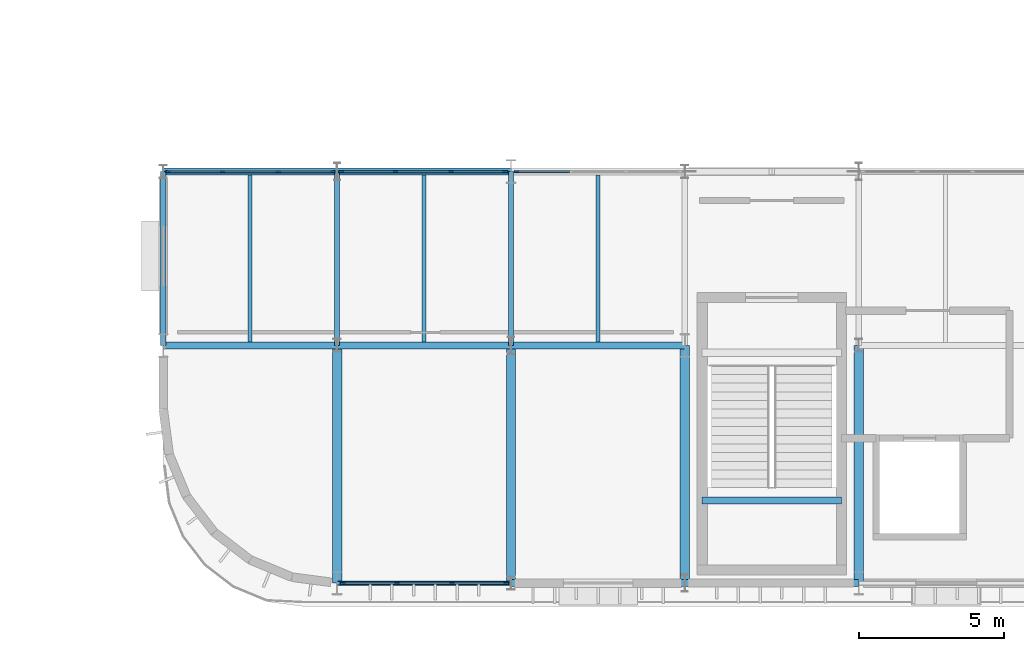
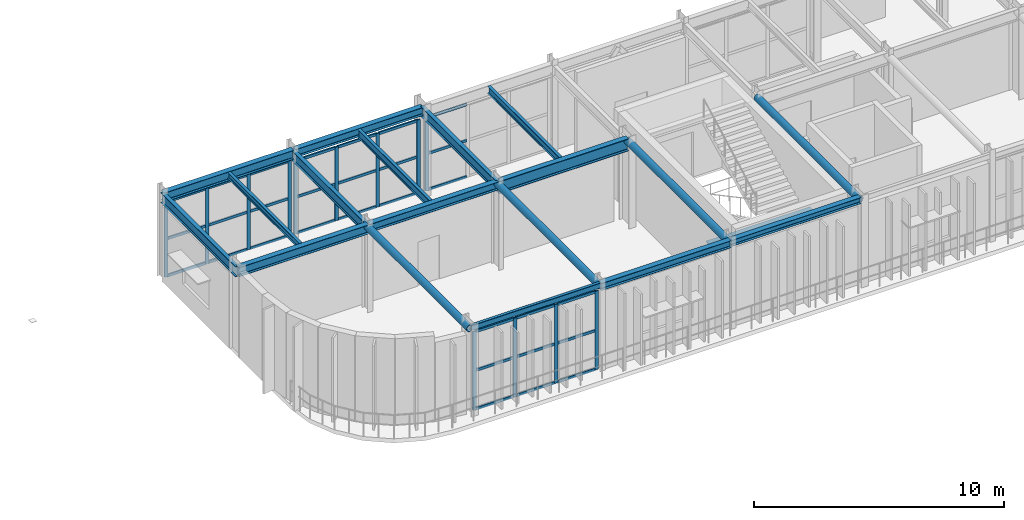
# One storey, part 31 of 84: 43 members, 19 beams, 4 elements without a shape of their own.
"""IFC4 building model written with IfcOpenShell, lengths in metres."""

import ifcopenshell
import ifcopenshell.guid

model = None  # the IFC model being written
_history = None  # IfcOwnerHistory: only IFC2X3 demands one
_inside = {}  # id of a spatial element -> (the spatial element, [elements in it])
_under = {}  # id of a project, library or spatial element -> (it, [spatial elements below it])
_declared = {}  # id of a project -> (the project, [libraries it declares])
_typed = {}  # id of a type object -> (the type object, [elements of that type])
_made_of = {}  # id of a material, layer set ... -> (it, [elements and type objects made of it])


def new_model(schema):
    """Start an empty IFC model of exactly this schema.

    Asked for "IFC4X3", IfcOpenShell would pick the latest addendum, in which some entities
    have other attributes; the version numbers below select the first issue.
    IFC2X3 requires an IfcOwnerHistory on every rooted entity: one is made here for all.
    """
    global model, _history
    if schema == "IFC4X3":
        model = ifcopenshell.file(schema_version=(4, 3, 0, 0))
    else:
        model = ifcopenshell.file(schema=schema)
    _inside.clear()
    _under.clear()
    _declared.clear()
    _typed.clear()
    _made_of.clear()
    _history = None
    if model.schema == "IFC2X3":
        org = make("IfcOrganization", Name="unknown")
        user = make(
            "IfcPersonAndOrganization",
            ThePerson=make("IfcPerson", FamilyName="unknown"),
            TheOrganization=org,
        )
        app = make(
            "IfcApplication",
            ApplicationDeveloper=org,
            Version="unknown",
            ApplicationFullName="unknown",
            ApplicationIdentifier="unknown",
        )
        _history = make(
            "IfcOwnerHistory",
            OwningUser=user,
            OwningApplication=app,
            ChangeAction="ADDED",
            CreationDate=0,
        )
    return model


def make(cls, **values):
    """One entity of the class cls with the attributes given. An attribute that is None is left unset."""
    return model.create_entity(
        cls, **{name: value for name, value in values.items() if value is not None}
    )


def rooted(cls, **values):
    """An entity with a GlobalId (a new one), such as an element, a storey or a relation."""
    return make(cls, GlobalId=ifcopenshell.guid.new(), OwnerHistory=_history, **values)


def si_unit(unit_type, name, prefix=None):
    """IfcSIUnit, for example si_unit("LENGTHUNIT", "METRE", prefix="MILLI")."""
    return make("IfcSIUnit", UnitType=unit_type, Prefix=prefix, Name=name)


def assignment(units):
    """IfcUnitAssignment: the units of a project."""
    return None if units is None else make("IfcUnitAssignment", Units=units)


def point(xyz):
    """IfcCartesianPoint."""
    return None if xyz is None else make("IfcCartesianPoint", Coordinates=xyz)


def direction(xyz):
    """IfcDirection."""
    return None if xyz is None else make("IfcDirection", DirectionRatios=xyz)


def frame(location, z_axis=None, x_axis=None):
    """IfcAxis2Placement3D, a coordinate frame: its origin and axes. An axis left out is left unset."""
    return make(
        "IfcAxis2Placement3D",
        Location=point(location),
        Axis=direction(z_axis),
        RefDirection=direction(x_axis),
    )


def frame_2d(location, x_axis=None):
    """IfcAxis2Placement2D, a coordinate frame in the plane: its origin and x axis."""
    return make(
        "IfcAxis2Placement2D", Location=point(location), RefDirection=direction(x_axis)
    )


def origin():
    """The frame at (0, 0, 0) with its axes left unset."""
    return frame((0.0, 0.0, 0.0))


def origin_2d():
    """The frame at (0, 0) in the plane with its x axis left unset."""
    return frame_2d((0.0, 0.0))


def place(relative_to, where):
    """IfcLocalPlacement: puts the frame where relative to a parent placement (None: the world)."""
    return make(
        "IfcLocalPlacement", PlacementRelTo=relative_to, RelativePlacement=where
    )


def context(
    kind, dimensions, precision=None, world=None, true_north=None, identifier=None
):
    """IfcGeometricRepresentationContext, for example the 3D "Model" context."""
    return make(
        "IfcGeometricRepresentationContext",
        ContextIdentifier=identifier,
        ContextType=kind,
        CoordinateSpaceDimension=dimensions,
        Precision=precision,
        WorldCoordinateSystem=world,
        TrueNorth=true_north,
    )


def subcontext(parent, identifier, kind, view, scale=None):
    """IfcGeometricRepresentationSubContext, for example "Body" below "Model"."""
    return make(
        "IfcGeometricRepresentationSubContext",
        ContextIdentifier=identifier,
        ContextType=kind,
        ParentContext=parent,
        TargetScale=scale,
        TargetView=view,
    )


def project(units=None, contexts=None):
    """IfcProject with its units and contexts."""
    return rooted(
        "IfcProject",
        Name="project",
        RepresentationContexts=contexts,
        UnitsInContext=assignment(units),
    )


def spatial(cls, under=None, at=None, **own):
    """A site, building, storey or space (cls), placed at a placement, below another one or the project."""
    s = rooted(cls, ObjectPlacement=at, **own)
    if under is not None:
        _under.setdefault(under.id(), (under, []))[1].append(s)
    return s


def profile(cls, at=None, kind="AREA", **sizes):
    """A parametric profile (cls). Its sizes go by their IFC names, for example OverallWidth=200.0."""
    return make(cls, ProfileType=kind, Position=at, **sizes)


def rectangle(**sizes):
    """IfcRectangleProfileDef."""
    return profile("IfcRectangleProfileDef", **sizes)


def hollow_rectangle(**sizes):
    """IfcRectangleHollowProfileDef."""
    return profile("IfcRectangleHollowProfileDef", **sizes)


def hollow_circle(**sizes):
    """IfcCircleHollowProfileDef."""
    return profile("IfcCircleHollowProfileDef", **sizes)


def i_section(**sizes):
    """IfcIShapeProfileDef."""
    return profile("IfcIShapeProfileDef", **sizes)


def extrude(swept, where, along, depth):
    """IfcExtrudedAreaSolid: the profile swept, set in the frame where, extruded along a direction by depth."""
    return make(
        "IfcExtrudedAreaSolid",
        SweptArea=swept,
        Position=where,
        ExtrudedDirection=direction(along),
        Depth=depth,
    )


def shape(context_of_items, identifier, shape_type, items):
    """IfcShapeRepresentation: the items that make up one representation, for example the "Body"."""
    return make(
        "IfcShapeRepresentation",
        ContextOfItems=context_of_items,
        RepresentationIdentifier=identifier,
        RepresentationType=shape_type,
        Items=items,
    )


def material(Name=None, Category=None):
    """IfcMaterial."""
    return make("IfcMaterial", Name=Name, Category=Category)


def material_profile(
    of_material, cross_section, Name=None, Category=None, Priority=None
):
    """IfcMaterialProfile: a cross section and its material."""
    return make(
        "IfcMaterialProfile",
        Name=Name,
        Material=of_material,
        Profile=cross_section,
        Priority=Priority,
        Category=Category,
    )


def profile_set(profiles, Name=None, composite=None):
    """IfcMaterialProfileSet."""
    return make(
        "IfcMaterialProfileSet",
        Name=Name,
        MaterialProfiles=profiles,
        CompositeProfile=composite,
    )


def made_of(thing, what):
    """Note that an element or type object is made of a material, layer set ...; save() writes the relation."""
    if what is not None:
        _made_of.setdefault(what.id(), (what, []))[1].append(thing)
    return thing


def type_object(cls, material=None, **own):
    """A type object (cls), such as IfcWallType, which elements share."""
    return made_of(rooted(cls, **own), material)


def element(
    cls,
    number,
    at=None,
    inside=None,
    cuts=None,
    type_object=None,
    material=None,
    context=None,
    identifier="Body",
    shape_type=None,
    held_by="IfcProductDefinitionShape",
    body=None,
    shapes=None,
    **own,
):
    """One element of the class cls, such as IfcWall. Its Tag is "e" and its number.

    at: its placement. inside: the storey or other place that contains it. cuts: it is an
    opening in that element (IfcRelVoidsElement). A single representation is given by context,
    identifier, shape_type and body (its items); several are given by shapes. held_by: the class
    of the entity that holds the representations. save() writes the other relations.
    """
    e = rooted(cls, Tag="e%d" % number, ObjectPlacement=at, **own)
    if body is not None:
        shapes = [shape(context, identifier, shape_type, body)]
    if shapes is not None:
        e.Representation = make(held_by, Representations=shapes)
    if inside is not None:
        _inside.setdefault(inside.id(), (inside, []))[1].append(e)
    if cuts is not None:
        rooted(
            "IfcRelVoidsElement", RelatingBuildingElement=cuts, RelatedOpeningElement=e
        )
    if type_object is not None:
        _typed.setdefault(type_object.id(), (type_object, []))[1].append(e)
    return made_of(e, material)


def aggregate(whole, parts):
    """IfcRelAggregates: a whole, such as a stair, and the parts it consists of."""
    return rooted("IfcRelAggregates", RelatingObject=whole, RelatedObjects=parts)


def save(model, path):
    """Write the relations noted so far, then the file.

    IfcRelAggregates (storeys below a building ...), IfcRelContainedInSpatialStructure (elements
    in a storey), IfcRelDefinesByType, IfcRelAssociatesMaterial and IfcRelDeclares: one each for
    every whole, place, type object, material and project.
    """
    for whole, parts in _under.values():
        aggregate(whole, parts)
    for where, things in _inside.values():
        rooted(
            "IfcRelContainedInSpatialStructure",
            RelatedElements=things,
            RelatingStructure=where,
        )
    for kind, things in _typed.values():
        rooted("IfcRelDefinesByType", RelatedObjects=things, RelatingType=kind)
    for what, things in _made_of.values():
        rooted("IfcRelAssociatesMaterial", RelatedObjects=things, RelatingMaterial=what)
    for by, libraries in _declared.values():
        rooted("IfcRelDeclares", RelatingContext=by, RelatedDefinitions=libraries)
    model.write(path)


model = new_model("IFC4")

# Units and contexts
model_context = context("Model", 3, precision=1e-05, world=origin(), true_north=direction((0.0, 1.0)))
body_context = subcontext(model_context, "Body", "Model", "MODEL_VIEW")
ifc_project = project(units=[si_unit("LENGTHUNIT", "METRE"), si_unit("AREAUNIT", "SQUARE_METRE"), si_unit("VOLUMEUNIT", "CUBIC_METRE"), si_unit("PLANEANGLEUNIT", "RADIAN"), si_unit("MASSUNIT", "GRAM", prefix="KILO")], contexts=[model_context])

# Site, building, storey
site_placement = place(None, origin())
site = spatial("IfcSite", under=ifc_project, at=site_placement, CompositionType="ELEMENT")
building_placement = place(site_placement, origin())
building = spatial("IfcBuilding", under=site, at=building_placement, Name="Varnakota Square Police Headquarters", CompositionType="ELEMENT")
storey_placement = place(building_placement, frame((0.0, 0.0, 13.5)))
storey = spatial("IfcBuildingStorey", under=building, at=storey_placement, Name="L03", CompositionType="ELEMENT", Elevation=13.5)

# Beams
ifc_material_1 = material(Name="Steel IS 2062 Grade 350", Category="steel")
ifc_material_profile_1 = material_profile(ifc_material_1, hollow_circle(Radius=0.161865234375, WallThickness=0.0126953125, at=origin_2d()), Name="CHS 323.9x12.7")
ifc_profile_set_1 = profile_set([ifc_material_profile_1], Name="Steel IS 2062 Grade 350")
beam_type_1 = type_object("IfcBeamType", Name="BM-ARC-CHS324", PredefinedType="BEAM", material=ifc_profile_set_1)
for number, where, z_axis, x_axis, name in (
    (1, (114.0, 0.800048828125, 4.0380859375), (0.0, 1.0, 0.0), (-1.0, 0.0, 0.0), "BMG-L03-2683"),
    (2, (120.0, 0.800048828125, 4.0380859375), (0.0, 1.0, 0.0), (-1.0, 0.0, 0.0), "BMG-L03-2692"),
    (3, (126.0, 0.800048828125, 4.0380859375), (0.0, 1.0, 0.0), (-1.0, 0.0, 0.0), "BMG-L03-2698"),
    (4, (132.0, 0.800048828125, 4.0380859375), (0.0, 1.0, 0.0), (-1.0, 0.0, 0.0), "BMG-L03-2704"),
):
    element("IfcBeam", number, at=place(storey_placement, frame(where, z_axis=z_axis, x_axis=x_axis)), inside=storey, type_object=beam_type_1, Name=name, PredefinedType="BEAM", context=body_context, shape_type="SweptSolid", body=[
        extrude(hollow_circle(Radius=0.161865234375, WallThickness=0.0126953125, at=origin_2d()), origin(), (0.0, 0.0, 1.0), 8.199951171875),
    ])
ifc_material_profile_2 = material_profile(ifc_material_1, hollow_rectangle(XDim=0.14990234375, YDim=0.25, WallThickness=0.010009765625, InnerFilletRadius=0.010009765625, OuterFilletRadius=0.02001953125, at=origin_2d()), Name="RHS 250x150x10")
ifc_profile_set_2 = profile_set([ifc_material_profile_2], Name="Steel IS 2062 Grade 350")
beam_type_2 = type_object("IfcBeamType", Name="BM-CBEAM-RHS250", PredefinedType="BEAM", material=ifc_profile_set_2)
beam_1_placement = place(storey_placement, frame((114.0, 0.800048828125, 4.074951171875), z_axis=(1.0, 0.0, 0.0), x_axis=(0.0, 1.0, 0.0)))
element("IfcBeam", 5, at=beam_1_placement, inside=storey, type_object=beam_type_2, Name="BMG-L03-2421", PredefinedType="BEAM", context=body_context, shape_type="SweptSolid", body=[
    extrude(hollow_rectangle(XDim=0.14990234375, YDim=0.25, WallThickness=0.010009765625, InnerFilletRadius=0.010009765625, OuterFilletRadius=0.02001953125, at=origin_2d()), origin(), (0.0, 0.0, 1.0), 6.0),
])
ifc_material_profile_3 = material_profile(ifc_material_1, i_section(OverallWidth=0.25, OverallDepth=0.300048828125, WebThickness=0.009521484375, FlangeThickness=0.010498046875, FilletRadius=0.011962890625, at=origin_2d()), Name="ISHB 300")
ifc_profile_set_3 = profile_set([ifc_material_profile_3], Name="Steel IS 2062 Grade 350")
beam_type_3 = type_object("IfcBeamType", Name="BM-ISHB300", PredefinedType="BEAM", material=ifc_profile_set_3)
beam_2_placement = place(storey_placement, frame((126.0, 0.800048828125, 4.050048828125), z_axis=(1.0, 0.0, 0.0), x_axis=(0.0, 1.0, 0.0)))
element("IfcBeam", 6, at=beam_2_placement, inside=storey, type_object=beam_type_3, Name="BMG-L03-2423", PredefinedType="BEAM", context=body_context, shape_type="SweptSolid", body=[
    extrude(i_section(OverallWidth=0.25, OverallDepth=0.300048828125, WebThickness=0.009521484375, FlangeThickness=0.010498046875, FilletRadius=0.011962890625, at=origin_2d()), origin(), (0.0, 0.0, 1.0), 6.0),
])
beam_3_placement = place(storey_placement, frame((126.60009765625, 3.6494140625, 1.93408203125), z_axis=(1.0, 0.0, 0.0), x_axis=(0.0, 1.0, 0.0)))
element("IfcBeam", 7, at=beam_3_placement, inside=storey, type_object=beam_type_3, Name="Stair landing support beam BM-LND-0008", PredefinedType="BEAM", context=body_context, shape_type="SweptSolid", body=[
    extrude(i_section(OverallWidth=0.25, OverallDepth=0.300048828125, WebThickness=0.009521484375, FlangeThickness=0.010498046875, FilletRadius=0.011962890625, at=origin_2d()), origin(), (0.0, 0.0, 1.0), 4.7998046875),
])
ifc_material_profile_4 = material_profile(ifc_material_1, i_section(OverallWidth=0.25, OverallDepth=0.35009765625, WebThickness=0.010009765625, FlangeThickness=0.01171875, FilletRadius=0.011962890625, at=origin_2d()), Name="ISHB 350")
ifc_profile_set_4 = profile_set([ifc_material_profile_4], Name="Steel IS 2062 Grade 350")
beam_type_4 = type_object("IfcBeamType", Name="BM-ISHB350", PredefinedType="BEAM", material=ifc_profile_set_4)
beam_4_placement = place(storey_placement, frame((120.0, 0.800048828125, 4.02490234375), z_axis=(1.0, 0.0, 0.0), x_axis=(0.0, 1.0, 0.0)))
element("IfcBeam", 8, at=beam_4_placement, inside=storey, type_object=beam_type_4, Name="BMG-L03-2422", PredefinedType="BEAM", context=body_context, shape_type="SweptSolid", body=[
    extrude(i_section(OverallWidth=0.25, OverallDepth=0.35009765625, WebThickness=0.010009765625, FlangeThickness=0.01171875, FilletRadius=0.011962890625, at=origin_2d()), origin(), (0.0, 0.0, 1.0), 6.0),
])
ifc_material_profile_5 = material_profile(ifc_material_1, i_section(OverallWidth=0.25, OverallDepth=0.39990234375, WebThickness=0.010498046875, FlangeThickness=0.0126953125, FilletRadius=0.013916015625, at=origin_2d()), Name="ISHB 400")
ifc_profile_set_5 = profile_set([ifc_material_profile_5], Name="Steel IS 2062 Grade 350")
beam_type_5 = type_object("IfcBeamType", Name="BM-ISHB400", PredefinedType="BEAM", material=ifc_profile_set_5)
for number, where, z_axis, x_axis, name in (
    (9, (114.0, 9.0, 4.0), (1.0, 0.0, 0.0), (0.0, 1.0, 0.0), "BMG-L03-2429"),
    (10, (114.0, 15.0, 4.0), (1.0, 0.0, 0.0), (0.0, 1.0, 0.0), "BMG-L03-2437"),
):
    element("IfcBeam", number, at=place(storey_placement, frame(where, z_axis=z_axis, x_axis=x_axis)), inside=storey, type_object=beam_type_5, Name=name, PredefinedType="BEAM", context=body_context, shape_type="SweptSolid", body=[
        extrude(i_section(OverallWidth=0.25, OverallDepth=0.39990234375, WebThickness=0.010498046875, FlangeThickness=0.0126953125, FilletRadius=0.013916015625, at=origin_2d()), origin(), (0.0, 0.0, 1.0), 6.0),
    ])
ifc_material_profile_6 = material_profile(ifc_material_1, i_section(OverallWidth=0.25, OverallDepth=0.449951171875, WebThickness=0.01123046875, FlangeThickness=0.013671875, FilletRadius=0.014892578125, at=origin_2d()), Name="ISHB 450")
ifc_profile_set_6 = profile_set([ifc_material_profile_6], Name="Steel IS 2062 Grade 350")
beam_type_6 = type_object("IfcBeamType", Name="BM-ISHB450", PredefinedType="BEAM", material=ifc_profile_set_6)
for number, where, z_axis, x_axis, name in (
    (11, (108.0, 9.0, 3.97509765625), (1.0, 0.0, 0.0), (0.0, 1.0, 0.0), "BMG-L03-2428"),
    (12, (108.0, 15.0, 3.97509765625), (1.0, 0.0, 0.0), (0.0, 1.0, 0.0), "BMG-L03-2436"),
):
    element("IfcBeam", number, at=place(storey_placement, frame(where, z_axis=z_axis, x_axis=x_axis)), inside=storey, type_object=beam_type_6, Name=name, PredefinedType="BEAM", context=body_context, shape_type="SweptSolid", body=[
        extrude(i_section(OverallWidth=0.25, OverallDepth=0.449951171875, WebThickness=0.01123046875, FlangeThickness=0.013671875, FilletRadius=0.014892578125, at=origin_2d()), origin(), (0.0, 0.0, 1.0), 6.0),
    ])
ifc_material_profile_7 = material_profile(ifc_material_1, i_section(OverallWidth=0.139892578125, OverallDepth=0.300048828125, WebThickness=0.0078125, FlangeThickness=0.01318359375, FilletRadius=0.013916015625, at=origin_2d()), Name="ISMB 300")
ifc_profile_set_7 = profile_set([ifc_material_profile_7], Name="Steel IS 2062 Grade 350")
beam_type_7 = type_object("IfcBeamType", Name="BM-ISMB300", PredefinedType="JOIST", material=ifc_profile_set_7)
beam_5_placement = place(storey_placement, frame((111.0, 9.123046875, 4.050048828125), z_axis=(0.0, 1.0, 0.0), x_axis=(-1.0, 0.0, 0.0)))
element("IfcBeam", 13, at=beam_5_placement, inside=storey, type_object=beam_type_7, Name="BMG-L03-2801", PredefinedType="JOIST", context=body_context, shape_type="SweptSolid", body=[
    extrude(i_section(OverallWidth=0.139892578125, OverallDepth=0.300048828125, WebThickness=0.0078125, FlangeThickness=0.01318359375, FilletRadius=0.013916015625, at=origin_2d()), origin(), (0.0, 0.0, 1.0), 5.75390625),
])
ifc_material_profile_8 = material_profile(ifc_material_1, i_section(OverallWidth=0.139892578125, OverallDepth=0.35009765625, WebThickness=0.008056640625, FlangeThickness=0.01416015625, FilletRadius=0.013916015625, at=origin_2d()), Name="ISMB 350")
ifc_profile_set_8 = profile_set([ifc_material_profile_8], Name="Steel IS 2062 Grade 350")
beam_type_8 = type_object("IfcBeamType", Name="BM-ISMB350", PredefinedType="JOIST", material=ifc_profile_set_8)
beam_6_placement = place(storey_placement, frame((123.0, 9.123046875, 4.02490234375), z_axis=(0.0, 1.0, 0.0), x_axis=(-1.0, 0.0, 0.0)))
element("IfcBeam", 14, at=beam_6_placement, inside=storey, type_object=beam_type_8, Name="BMG-L03-2810", PredefinedType="JOIST", context=body_context, shape_type="SweptSolid", body=[
    extrude(i_section(OverallWidth=0.139892578125, OverallDepth=0.35009765625, WebThickness=0.008056640625, FlangeThickness=0.01416015625, FilletRadius=0.013916015625, at=origin_2d()), origin(), (0.0, 0.0, 1.0), 5.75390625),
])
ifc_material_profile_9 = material_profile(ifc_material_1, i_section(OverallWidth=0.139892578125, OverallDepth=0.39990234375, WebThickness=0.0087890625, FlangeThickness=0.01611328125, FilletRadius=0.013916015625, at=origin_2d()), Name="ISMB 400")
ifc_profile_set_9 = profile_set([ifc_material_profile_9], Name="Steel IS 2062 Grade 350")
beam_type_9 = type_object("IfcBeamType", Name="BM-ISMB400", PredefinedType="JOIST", material=ifc_profile_set_9)
beam_7_placement = place(storey_placement, frame((117.0, 9.123046875, 4.0), z_axis=(0.0, 1.0, 0.0), x_axis=(-1.0, 0.0, 0.0)))
element("IfcBeam", 15, at=beam_7_placement, inside=storey, type_object=beam_type_9, Name="BMG-L03-2806", PredefinedType="JOIST", context=body_context, shape_type="SweptSolid", body=[
    extrude(i_section(OverallWidth=0.139892578125, OverallDepth=0.39990234375, WebThickness=0.0087890625, FlangeThickness=0.01611328125, FilletRadius=0.013916015625, at=origin_2d()), origin(), (0.0, 0.0, 1.0), 5.75390625),
])
ifc_material_profile_10 = material_profile(ifc_material_1, i_section(OverallWidth=0.179931640625, OverallDepth=0.5, WebThickness=0.01025390625, FlangeThickness=0.01708984375, FilletRadius=0.01708984375, at=origin_2d()), Name="ISMB 500")
ifc_profile_set_10 = profile_set([ifc_material_profile_10], Name="Steel IS 2062 Grade 350")
beam_type_10 = type_object("IfcBeamType", Name="BM-ISMB500", PredefinedType="BEAM", material=ifc_profile_set_10)
for number, where, z_axis, x_axis, name in (
    (16, (108.0, 9.0, 3.949951171875), (0.0, 1.0, 0.0), (-1.0, 0.0, 0.0), "BMG-L03-2677"),
    (17, (114.0, 9.0, 3.949951171875), (0.0, 1.0, 0.0), (-1.0, 0.0, 0.0), "BMG-L03-2684"),
    (18, (120.0, 9.0, 3.949951171875), (0.0, 1.0, 0.0), (-1.0, 0.0, 0.0), "BMG-L03-2693"),
):
    element("IfcBeam", number, at=place(storey_placement, frame(where, z_axis=z_axis, x_axis=x_axis)), inside=storey, type_object=beam_type_10, Name=name, PredefinedType="BEAM", context=body_context, shape_type="SweptSolid", body=[
        extrude(i_section(OverallWidth=0.179931640625, OverallDepth=0.5, WebThickness=0.01025390625, FlangeThickness=0.01708984375, FilletRadius=0.01708984375, at=origin_2d()), origin(), (0.0, 0.0, 1.0), 6.0),
    ])
ifc_material_profile_11 = material_profile(ifc_material_1, i_section(OverallWidth=0.25, OverallDepth=0.60009765625, WebThickness=0.01171875, FlangeThickness=0.023681640625, FilletRadius=0.01708984375, at=origin_2d()), Name="ISWB 600")
ifc_profile_set_11 = profile_set([ifc_material_profile_11], Name="Steel IS 2062 Grade 350")
beam_type_11 = type_object("IfcBeamType", Name="BM-ISWB600", PredefinedType="BEAM", material=ifc_profile_set_11)
beam_8_placement = place(storey_placement, frame((120.0, 9.0, 3.89990234375), z_axis=(1.0, 0.0, 0.0), x_axis=(0.0, 1.0, 0.0)))
element("IfcBeam", 19, at=beam_8_placement, inside=storey, type_object=beam_type_11, Name="BMG-L03-2430", PredefinedType="BEAM", context=body_context, shape_type="SweptSolid", body=[
    extrude(i_section(OverallWidth=0.25, OverallDepth=0.60009765625, WebThickness=0.01171875, FlangeThickness=0.023681640625, FilletRadius=0.01708984375, at=origin_2d()), origin(), (0.0, 0.0, 1.0), 6.0),
])

# Curtain wall, members
ifc_material_2 = material(Name="Anodised Aluminium Framing", Category="aluminium")
curtain_wall_type_1 = type_object("IfcCurtainWallType", Name="CW-SYS-C", PredefinedType="NOTDEFINED", material=ifc_material_2)
curtain_wall_1_placement = place(storey_placement, origin())
curtain_wall_1 = element("IfcCurtainWall", 20, at=curtain_wall_1_placement, inside=storey, type_object=curtain_wall_type_1, Name="Unitised curtain wall CWG-L03-077", PredefinedType="NOTDEFINED")
ifc_material_3 = material(Name="Anodised Aluminium 6063-T6", Category="aluminium")
ifc_material_profile_12 = material_profile(ifc_material_3, rectangle(XDim=0.06494140625, YDim=0.159912109375, at=origin_2d()), Name="ALU MULLION 65x160")
ifc_profile_set_12 = profile_set([ifc_material_profile_12], Name="Anodised Aluminium 6063-T6")
member_type_1 = type_object("IfcMemberType", Name="CWM-150", PredefinedType="MULLION", material=ifc_profile_set_12)
member_1_placement = place(storey_placement, frame((114.197509765625, 0.800048828125, 0.0), z_axis=(0.0, 0.0, 1.0), x_axis=(0.0, 1.0, 0.0)))
member_1 = element("IfcMember", 21, at=member_1_placement, type_object=member_type_1, Name="CWG-L03-077 mullion 1", PredefinedType="MULLION", context=body_context, shape_type="SweptSolid", body=[
    extrude(rectangle(XDim=0.06494140625, YDim=0.159912109375, at=origin_2d()), origin(), (0.0, 0.0, 1.0), 3.840087890625),
])
member_2_placement = place(storey_placement, frame((116.066650390625, 0.800048828125, 0.0), z_axis=(0.0, 0.0, 1.0), x_axis=(0.0, 1.0, 0.0)))
member_2 = element("IfcMember", 22, at=member_2_placement, type_object=member_type_1, Name="CWG-L03-077 mullion 2", PredefinedType="MULLION", context=body_context, shape_type="SweptSolid", body=[
    extrude(rectangle(XDim=0.06494140625, YDim=0.159912109375, at=origin_2d()), origin(), (0.0, 0.0, 1.0), 3.840087890625),
])
member_3_placement = place(storey_placement, frame((117.96826171875, 0.800048828125, 0.0), z_axis=(0.0, 0.0, 1.0), x_axis=(0.0, 1.0, 0.0)))
member_3 = element("IfcMember", 23, at=member_3_placement, type_object=member_type_1, Name="CWG-L03-077 mullion 3", PredefinedType="MULLION", context=body_context, shape_type="SweptSolid", body=[
    extrude(rectangle(XDim=0.06494140625, YDim=0.159912109375, at=origin_2d()), origin(), (0.0, 0.0, 1.0), 3.840087890625),
])
member_4_placement = place(storey_placement, frame((119.83740234375, 0.800048828125, 0.0), z_axis=(0.0, 0.0, 1.0), x_axis=(0.0, 1.0, 0.0)))
member_4 = element("IfcMember", 24, at=member_4_placement, type_object=member_type_1, Name="CWG-L03-077 mullion 4", PredefinedType="MULLION", context=body_context, shape_type="SweptSolid", body=[
    extrude(rectangle(XDim=0.06494140625, YDim=0.159912109375, at=origin_2d()), origin(), (0.0, 0.0, 1.0), 3.840087890625),
])

curtain_wall_type_2 = type_object("IfcCurtainWallType", Name="CW-SYS-D", PredefinedType="NOTDEFINED", material=ifc_material_2)
curtain_wall_2_placement = place(storey_placement, origin())
curtain_wall_2 = element("IfcCurtainWall", 25, at=curtain_wall_2_placement, inside=storey, type_object=curtain_wall_type_2, Name="Unitised curtain wall CWG-L03-080", PredefinedType="NOTDEFINED")
member_5_placement = place(storey_placement, frame((108.16259765625, 15.0, 0.0), z_axis=(0.0, 0.0, 1.0), x_axis=(0.0, 1.0, 0.0)))
member_5 = element("IfcMember", 26, at=member_5_placement, type_object=member_type_1, Name="CWG-L03-080 mullion 1", PredefinedType="MULLION", context=body_context, shape_type="SweptSolid", body=[
    extrude(rectangle(XDim=0.06494140625, YDim=0.159912109375, at=origin_2d()), origin(), (0.0, 0.0, 1.0), 3.68994140625),
])
member_6_placement = place(storey_placement, frame((110.050048828125, 15.0, 0.0), z_axis=(0.0, 0.0, 1.0), x_axis=(0.0, 1.0, 0.0)))
member_6 = element("IfcMember", 27, at=member_6_placement, type_object=member_type_1, Name="CWG-L03-080 mullion 2", PredefinedType="MULLION", context=body_context, shape_type="SweptSolid", body=[
    extrude(rectangle(XDim=0.06494140625, YDim=0.159912109375, at=origin_2d()), origin(), (0.0, 0.0, 1.0), 3.68994140625),
])
member_7_placement = place(storey_placement, frame((111.969970703125, 15.0, 0.0), z_axis=(0.0, 0.0, 1.0), x_axis=(0.0, 1.0, 0.0)))
member_7 = element("IfcMember", 28, at=member_7_placement, type_object=member_type_1, Name="CWG-L03-080 mullion 3", PredefinedType="MULLION", context=body_context, shape_type="SweptSolid", body=[
    extrude(rectangle(XDim=0.06494140625, YDim=0.159912109375, at=origin_2d()), origin(), (0.0, 0.0, 1.0), 3.68994140625),
])
member_8_placement = place(storey_placement, frame((113.857421875, 15.0, 0.0), z_axis=(0.0, 0.0, 1.0), x_axis=(0.0, 1.0, 0.0)))
member_8 = element("IfcMember", 29, at=member_8_placement, type_object=member_type_1, Name="CWG-L03-080 mullion 4", PredefinedType="MULLION", context=body_context, shape_type="SweptSolid", body=[
    extrude(rectangle(XDim=0.06494140625, YDim=0.159912109375, at=origin_2d()), origin(), (0.0, 0.0, 1.0), 3.68994140625),
])

curtain_wall_3_placement = place(storey_placement, origin())
curtain_wall_3 = element("IfcCurtainWall", 30, at=curtain_wall_3_placement, inside=storey, type_object=curtain_wall_type_2, Name="Unitised curtain wall CWG-L03-081", PredefinedType="NOTDEFINED")
member_9_placement = place(storey_placement, frame((114.142578125, 15.0, 0.0), z_axis=(0.0, 0.0, 1.0), x_axis=(0.0, 1.0, 0.0)))
member_9 = element("IfcMember", 31, at=member_9_placement, type_object=member_type_1, Name="CWG-L03-081 mullion 1", PredefinedType="MULLION", context=body_context, shape_type="SweptSolid", body=[
    extrude(rectangle(XDim=0.06494140625, YDim=0.159912109375, at=origin_2d()), origin(), (0.0, 0.0, 1.0), 3.590087890625),
])
member_10_placement = place(storey_placement, frame((116.018310546875, 15.0, 0.0), z_axis=(0.0, 0.0, 1.0), x_axis=(0.0, 1.0, 0.0)))
member_10 = element("IfcMember", 32, at=member_10_placement, type_object=member_type_1, Name="CWG-L03-081 mullion 2", PredefinedType="MULLION", context=body_context, shape_type="SweptSolid", body=[
    extrude(rectangle(XDim=0.06494140625, YDim=0.159912109375, at=origin_2d()), origin(), (0.0, 0.0, 1.0), 3.590087890625),
])
member_11_placement = place(storey_placement, frame((117.9267578125, 15.0, 0.0), z_axis=(0.0, 0.0, 1.0), x_axis=(0.0, 1.0, 0.0)))
member_11 = element("IfcMember", 33, at=member_11_placement, type_object=member_type_1, Name="CWG-L03-081 mullion 3", PredefinedType="MULLION", context=body_context, shape_type="SweptSolid", body=[
    extrude(rectangle(XDim=0.06494140625, YDim=0.159912109375, at=origin_2d()), origin(), (0.0, 0.0, 1.0), 3.590087890625),
])
member_12_placement = place(storey_placement, frame((119.802490234375, 15.0, 0.0), z_axis=(0.0, 0.0, 1.0), x_axis=(0.0, 1.0, 0.0)))
member_12 = element("IfcMember", 34, at=member_12_placement, type_object=member_type_1, Name="CWG-L03-081 mullion 4", PredefinedType="MULLION", context=body_context, shape_type="SweptSolid", body=[
    extrude(rectangle(XDim=0.06494140625, YDim=0.159912109375, at=origin_2d()), origin(), (0.0, 0.0, 1.0), 3.590087890625),
])

# Curtain wall, member
curtain_wall_4_placement = place(storey_placement, origin())
curtain_wall_4 = element("IfcCurtainWall", 35, at=curtain_wall_4_placement, inside=storey, type_object=curtain_wall_type_2, Name="Unitised curtain wall CWG-L03-082", PredefinedType="NOTDEFINED")
member_13_placement = place(storey_placement, frame((120.197509765625, 15.0, 0.0), z_axis=(0.0, 0.0, 1.0), x_axis=(0.0, 1.0, 0.0)))
member_13 = element("IfcMember", 36, at=member_13_placement, type_object=member_type_1, Name="CWG-L03-082 mullion 1", PredefinedType="MULLION", context=body_context, shape_type="SweptSolid", body=[
    extrude(rectangle(XDim=0.06494140625, YDim=0.159912109375, at=origin_2d()), origin(), (0.0, 0.0, 1.0), 3.590087890625),
])

# Member
ifc_material_profile_13 = material_profile(ifc_material_3, rectangle(XDim=0.06494140625, YDim=0.1298828125, at=origin_2d()), Name="ALU TRANSOM 65x130")
ifc_profile_set_13 = profile_set([ifc_material_profile_13], Name="Anodised Aluminium 6063-T6")
member_type_2 = type_object("IfcMemberType", Name="CWT-120", PredefinedType="USERDEFINED", material=ifc_profile_set_13)
member_14_placement = place(storey_placement, frame((114.22998046875, 0.800048828125, 0.032470703125), z_axis=(1.0, 0.0, 0.0), x_axis=(0.0, 1.0, 0.0)))
member_14 = element("IfcMember", 37, at=member_14_placement, type_object=member_type_2, Name="CWG-L03-077 transom 1.1", ObjectType="TRANSOM", PredefinedType="USERDEFINED", context=body_context, shape_type="SweptSolid", body=[
    extrude(rectangle(XDim=0.06494140625, YDim=0.1298828125, at=origin_2d()), origin(), (0.0, 0.0, 1.0), 1.80419921875),
])

member_15_placement = place(storey_placement, frame((114.22998046875, 0.800048828125, 1.919921875), z_axis=(1.0, 0.0, 0.0), x_axis=(0.0, 1.0, 0.0)))
member_15 = element("IfcMember", 38, at=member_15_placement, type_object=member_type_2, Name="CWG-L03-077 transom 1.2", ObjectType="TRANSOM", PredefinedType="USERDEFINED", context=body_context, shape_type="SweptSolid", body=[
    extrude(rectangle(XDim=0.06494140625, YDim=0.1298828125, at=origin_2d()), origin(), (0.0, 0.0, 1.0), 1.80419921875),
])

member_16_placement = place(storey_placement, frame((114.22998046875, 0.800048828125, 3.8076171875), z_axis=(1.0, 0.0, 0.0), x_axis=(0.0, 1.0, 0.0)))
member_16 = element("IfcMember", 39, at=member_16_placement, type_object=member_type_2, Name="CWG-L03-077 transom 1.3", ObjectType="TRANSOM", PredefinedType="USERDEFINED", context=body_context, shape_type="SweptSolid", body=[
    extrude(rectangle(XDim=0.06494140625, YDim=0.1298828125, at=origin_2d()), origin(), (0.0, 0.0, 1.0), 1.80419921875),
])

member_17_placement = place(storey_placement, frame((116.09912109375, 0.800048828125, 0.032470703125), z_axis=(1.0, 0.0, 0.0), x_axis=(0.0, 1.0, 0.0)))
member_17 = element("IfcMember", 40, at=member_17_placement, type_object=member_type_2, Name="CWG-L03-077 transom 2.1", ObjectType="TRANSOM", PredefinedType="USERDEFINED", context=body_context, shape_type="SweptSolid", body=[
    extrude(rectangle(XDim=0.06494140625, YDim=0.1298828125, at=origin_2d()), origin(), (0.0, 0.0, 1.0), 1.836669921875),
])

member_18_placement = place(storey_placement, frame((116.09912109375, 0.800048828125, 1.919921875), z_axis=(1.0, 0.0, 0.0), x_axis=(0.0, 1.0, 0.0)))
member_18 = element("IfcMember", 41, at=member_18_placement, type_object=member_type_2, Name="CWG-L03-077 transom 2.2", ObjectType="TRANSOM", PredefinedType="USERDEFINED", context=body_context, shape_type="SweptSolid", body=[
    extrude(rectangle(XDim=0.06494140625, YDim=0.1298828125, at=origin_2d()), origin(), (0.0, 0.0, 1.0), 1.836669921875),
])

member_19_placement = place(storey_placement, frame((116.09912109375, 0.800048828125, 3.8076171875), z_axis=(1.0, 0.0, 0.0), x_axis=(0.0, 1.0, 0.0)))
member_19 = element("IfcMember", 42, at=member_19_placement, type_object=member_type_2, Name="CWG-L03-077 transom 2.3", ObjectType="TRANSOM", PredefinedType="USERDEFINED", context=body_context, shape_type="SweptSolid", body=[
    extrude(rectangle(XDim=0.06494140625, YDim=0.1298828125, at=origin_2d()), origin(), (0.0, 0.0, 1.0), 1.836669921875),
])

member_20_placement = place(storey_placement, frame((118.000732421875, 0.800048828125, 0.032470703125), z_axis=(1.0, 0.0, 0.0), x_axis=(0.0, 1.0, 0.0)))
member_20 = element("IfcMember", 43, at=member_20_placement, type_object=member_type_2, Name="CWG-L03-077 transom 3.1", ObjectType="TRANSOM", PredefinedType="USERDEFINED", context=body_context, shape_type="SweptSolid", body=[
    extrude(rectangle(XDim=0.06494140625, YDim=0.1298828125, at=origin_2d()), origin(), (0.0, 0.0, 1.0), 1.80419921875),
])

member_21_placement = place(storey_placement, frame((118.000732421875, 0.800048828125, 1.919921875), z_axis=(1.0, 0.0, 0.0), x_axis=(0.0, 1.0, 0.0)))
member_21 = element("IfcMember", 44, at=member_21_placement, type_object=member_type_2, Name="CWG-L03-077 transom 3.2", ObjectType="TRANSOM", PredefinedType="USERDEFINED", context=body_context, shape_type="SweptSolid", body=[
    extrude(rectangle(XDim=0.06494140625, YDim=0.1298828125, at=origin_2d()), origin(), (0.0, 0.0, 1.0), 1.80419921875),
])

member_22_placement = place(storey_placement, frame((118.000732421875, 0.800048828125, 3.8076171875), z_axis=(1.0, 0.0, 0.0), x_axis=(0.0, 1.0, 0.0)))
member_22 = element("IfcMember", 45, at=member_22_placement, type_object=member_type_2, Name="CWG-L03-077 transom 3.3", ObjectType="TRANSOM", PredefinedType="USERDEFINED", context=body_context, shape_type="SweptSolid", body=[
    extrude(rectangle(XDim=0.06494140625, YDim=0.1298828125, at=origin_2d()), origin(), (0.0, 0.0, 1.0), 1.80419921875),
])

aggregate(curtain_wall_1, [member_1, member_2, member_3, member_4, member_14, member_15, member_16, member_17, member_18, member_19, member_20, member_21, member_22])

member_23_placement = place(storey_placement, frame((108.195068359375, 15.0, 0.032470703125), z_axis=(1.0, 0.0, 0.0), x_axis=(0.0, 1.0, 0.0)))
member_23 = element("IfcMember", 46, at=member_23_placement, type_object=member_type_2, Name="CWG-L03-080 transom 1.1", ObjectType="TRANSOM", PredefinedType="USERDEFINED", context=body_context, shape_type="SweptSolid", body=[
    extrude(rectangle(XDim=0.06494140625, YDim=0.1298828125, at=origin_2d()), origin(), (0.0, 0.0, 1.0), 1.822509765625),
])

member_24_placement = place(storey_placement, frame((108.195068359375, 15.0, 1.844970703125), z_axis=(1.0, 0.0, 0.0), x_axis=(0.0, 1.0, 0.0)))
member_24 = element("IfcMember", 47, at=member_24_placement, type_object=member_type_2, Name="CWG-L03-080 transom 1.2", ObjectType="TRANSOM", PredefinedType="USERDEFINED", context=body_context, shape_type="SweptSolid", body=[
    extrude(rectangle(XDim=0.06494140625, YDim=0.1298828125, at=origin_2d()), origin(), (0.0, 0.0, 1.0), 1.822509765625),
])

member_25_placement = place(storey_placement, frame((108.195068359375, 15.0, 3.657470703125), z_axis=(1.0, 0.0, 0.0), x_axis=(0.0, 1.0, 0.0)))
member_25 = element("IfcMember", 48, at=member_25_placement, type_object=member_type_2, Name="CWG-L03-080 transom 1.3", ObjectType="TRANSOM", PredefinedType="USERDEFINED", context=body_context, shape_type="SweptSolid", body=[
    extrude(rectangle(XDim=0.06494140625, YDim=0.1298828125, at=origin_2d()), origin(), (0.0, 0.0, 1.0), 1.822509765625),
])

member_26_placement = place(storey_placement, frame((110.08251953125, 15.0, 0.032470703125), z_axis=(1.0, 0.0, 0.0), x_axis=(0.0, 1.0, 0.0)))
member_26 = element("IfcMember", 49, at=member_26_placement, type_object=member_type_2, Name="CWG-L03-080 transom 2.1", ObjectType="TRANSOM", PredefinedType="USERDEFINED", context=body_context, shape_type="SweptSolid", body=[
    extrude(rectangle(XDim=0.06494140625, YDim=0.1298828125, at=origin_2d()), origin(), (0.0, 0.0, 1.0), 1.85498046875),
])

member_27_placement = place(storey_placement, frame((110.08251953125, 15.0, 1.844970703125), z_axis=(1.0, 0.0, 0.0), x_axis=(0.0, 1.0, 0.0)))
member_27 = element("IfcMember", 50, at=member_27_placement, type_object=member_type_2, Name="CWG-L03-080 transom 2.2", ObjectType="TRANSOM", PredefinedType="USERDEFINED", context=body_context, shape_type="SweptSolid", body=[
    extrude(rectangle(XDim=0.06494140625, YDim=0.1298828125, at=origin_2d()), origin(), (0.0, 0.0, 1.0), 1.85498046875),
])

member_28_placement = place(storey_placement, frame((110.08251953125, 15.0, 3.657470703125), z_axis=(1.0, 0.0, 0.0), x_axis=(0.0, 1.0, 0.0)))
member_28 = element("IfcMember", 51, at=member_28_placement, type_object=member_type_2, Name="CWG-L03-080 transom 2.3", ObjectType="TRANSOM", PredefinedType="USERDEFINED", context=body_context, shape_type="SweptSolid", body=[
    extrude(rectangle(XDim=0.06494140625, YDim=0.1298828125, at=origin_2d()), origin(), (0.0, 0.0, 1.0), 1.85498046875),
])

member_29_placement = place(storey_placement, frame((112.00244140625, 15.0, 0.032470703125), z_axis=(1.0, 0.0, 0.0), x_axis=(0.0, 1.0, 0.0)))
member_29 = element("IfcMember", 52, at=member_29_placement, type_object=member_type_2, Name="CWG-L03-080 transom 3.1", ObjectType="TRANSOM", PredefinedType="USERDEFINED", context=body_context, shape_type="SweptSolid", body=[
    extrude(rectangle(XDim=0.06494140625, YDim=0.1298828125, at=origin_2d()), origin(), (0.0, 0.0, 1.0), 1.822509765625),
])

member_30_placement = place(storey_placement, frame((112.00244140625, 15.0, 1.844970703125), z_axis=(1.0, 0.0, 0.0), x_axis=(0.0, 1.0, 0.0)))
member_30 = element("IfcMember", 53, at=member_30_placement, type_object=member_type_2, Name="CWG-L03-080 transom 3.2", ObjectType="TRANSOM", PredefinedType="USERDEFINED", context=body_context, shape_type="SweptSolid", body=[
    extrude(rectangle(XDim=0.06494140625, YDim=0.1298828125, at=origin_2d()), origin(), (0.0, 0.0, 1.0), 1.822509765625),
])

member_31_placement = place(storey_placement, frame((112.00244140625, 15.0, 3.657470703125), z_axis=(1.0, 0.0, 0.0), x_axis=(0.0, 1.0, 0.0)))
member_31 = element("IfcMember", 54, at=member_31_placement, type_object=member_type_2, Name="CWG-L03-080 transom 3.3", ObjectType="TRANSOM", PredefinedType="USERDEFINED", context=body_context, shape_type="SweptSolid", body=[
    extrude(rectangle(XDim=0.06494140625, YDim=0.1298828125, at=origin_2d()), origin(), (0.0, 0.0, 1.0), 1.822509765625),
])

aggregate(curtain_wall_2, [member_5, member_6, member_7, member_8, member_23, member_24, member_25, member_26, member_27, member_28, member_29, member_30, member_31])

member_32_placement = place(storey_placement, frame((114.175048828125, 15.0, 0.032470703125), z_axis=(1.0, 0.0, 0.0), x_axis=(0.0, 1.0, 0.0)))
member_32 = element("IfcMember", 55, at=member_32_placement, type_object=member_type_2, Name="CWG-L03-081 transom 1.1", ObjectType="TRANSOM", PredefinedType="USERDEFINED", context=body_context, shape_type="SweptSolid", body=[
    extrude(rectangle(XDim=0.06494140625, YDim=0.1298828125, at=origin_2d()), origin(), (0.0, 0.0, 1.0), 1.810791015625),
])

member_33_placement = place(storey_placement, frame((114.175048828125, 15.0, 1.794921875), z_axis=(1.0, 0.0, 0.0), x_axis=(0.0, 1.0, 0.0)))
member_33 = element("IfcMember", 56, at=member_33_placement, type_object=member_type_2, Name="CWG-L03-081 transom 1.2", ObjectType="TRANSOM", PredefinedType="USERDEFINED", context=body_context, shape_type="SweptSolid", body=[
    extrude(rectangle(XDim=0.06494140625, YDim=0.1298828125, at=origin_2d()), origin(), (0.0, 0.0, 1.0), 1.810791015625),
])

member_34_placement = place(storey_placement, frame((114.175048828125, 15.0, 3.5576171875), z_axis=(1.0, 0.0, 0.0), x_axis=(0.0, 1.0, 0.0)))
member_34 = element("IfcMember", 57, at=member_34_placement, type_object=member_type_2, Name="CWG-L03-081 transom 1.3", ObjectType="TRANSOM", PredefinedType="USERDEFINED", context=body_context, shape_type="SweptSolid", body=[
    extrude(rectangle(XDim=0.06494140625, YDim=0.1298828125, at=origin_2d()), origin(), (0.0, 0.0, 1.0), 1.810791015625),
])

member_35_placement = place(storey_placement, frame((116.05078125, 15.0, 0.032470703125), z_axis=(1.0, 0.0, 0.0), x_axis=(0.0, 1.0, 0.0)))
member_35 = element("IfcMember", 58, at=member_35_placement, type_object=member_type_2, Name="CWG-L03-081 transom 2.1", ObjectType="TRANSOM", PredefinedType="USERDEFINED", context=body_context, shape_type="SweptSolid", body=[
    extrude(rectangle(XDim=0.06494140625, YDim=0.1298828125, at=origin_2d()), origin(), (0.0, 0.0, 1.0), 1.843505859375),
])

member_36_placement = place(storey_placement, frame((116.05078125, 15.0, 1.794921875), z_axis=(1.0, 0.0, 0.0), x_axis=(0.0, 1.0, 0.0)))
member_36 = element("IfcMember", 59, at=member_36_placement, type_object=member_type_2, Name="CWG-L03-081 transom 2.2", ObjectType="TRANSOM", PredefinedType="USERDEFINED", context=body_context, shape_type="SweptSolid", body=[
    extrude(rectangle(XDim=0.06494140625, YDim=0.1298828125, at=origin_2d()), origin(), (0.0, 0.0, 1.0), 1.843505859375),
])

member_37_placement = place(storey_placement, frame((116.05078125, 15.0, 3.5576171875), z_axis=(1.0, 0.0, 0.0), x_axis=(0.0, 1.0, 0.0)))
member_37 = element("IfcMember", 60, at=member_37_placement, type_object=member_type_2, Name="CWG-L03-081 transom 2.3", ObjectType="TRANSOM", PredefinedType="USERDEFINED", context=body_context, shape_type="SweptSolid", body=[
    extrude(rectangle(XDim=0.06494140625, YDim=0.1298828125, at=origin_2d()), origin(), (0.0, 0.0, 1.0), 1.843505859375),
])

member_38_placement = place(storey_placement, frame((117.959228515625, 15.0, 0.032470703125), z_axis=(1.0, 0.0, 0.0), x_axis=(0.0, 1.0, 0.0)))
member_38 = element("IfcMember", 61, at=member_38_placement, type_object=member_type_2, Name="CWG-L03-081 transom 3.1", ObjectType="TRANSOM", PredefinedType="USERDEFINED", context=body_context, shape_type="SweptSolid", body=[
    extrude(rectangle(XDim=0.06494140625, YDim=0.1298828125, at=origin_2d()), origin(), (0.0, 0.0, 1.0), 1.810791015625),
])

member_39_placement = place(storey_placement, frame((117.959228515625, 15.0, 1.794921875), z_axis=(1.0, 0.0, 0.0), x_axis=(0.0, 1.0, 0.0)))
member_39 = element("IfcMember", 62, at=member_39_placement, type_object=member_type_2, Name="CWG-L03-081 transom 3.2", ObjectType="TRANSOM", PredefinedType="USERDEFINED", context=body_context, shape_type="SweptSolid", body=[
    extrude(rectangle(XDim=0.06494140625, YDim=0.1298828125, at=origin_2d()), origin(), (0.0, 0.0, 1.0), 1.810791015625),
])

member_40_placement = place(storey_placement, frame((117.959228515625, 15.0, 3.5576171875), z_axis=(1.0, 0.0, 0.0), x_axis=(0.0, 1.0, 0.0)))
member_40 = element("IfcMember", 63, at=member_40_placement, type_object=member_type_2, Name="CWG-L03-081 transom 3.3", ObjectType="TRANSOM", PredefinedType="USERDEFINED", context=body_context, shape_type="SweptSolid", body=[
    extrude(rectangle(XDim=0.06494140625, YDim=0.1298828125, at=origin_2d()), origin(), (0.0, 0.0, 1.0), 1.810791015625),
])

aggregate(curtain_wall_3, [member_9, member_10, member_11, member_12, member_32, member_33, member_34, member_35, member_36, member_37, member_38, member_39, member_40])

member_41_placement = place(storey_placement, frame((120.22998046875, 15.0, 0.032470703125), z_axis=(1.0, 0.0, 0.0), x_axis=(0.0, 1.0, 0.0)))
member_41 = element("IfcMember", 64, at=member_41_placement, type_object=member_type_2, Name="CWG-L03-082 transom 1.1", ObjectType="TRANSOM", PredefinedType="USERDEFINED", context=body_context, shape_type="SweptSolid", body=[
    extrude(rectangle(XDim=0.06494140625, YDim=0.1298828125, at=origin_2d()), origin(), (0.0, 0.0, 1.0), 1.80419921875),
])

member_42_placement = place(storey_placement, frame((120.22998046875, 15.0, 1.794921875), z_axis=(1.0, 0.0, 0.0), x_axis=(0.0, 1.0, 0.0)))
member_42 = element("IfcMember", 65, at=member_42_placement, type_object=member_type_2, Name="CWG-L03-082 transom 1.2", ObjectType="TRANSOM", PredefinedType="USERDEFINED", context=body_context, shape_type="SweptSolid", body=[
    extrude(rectangle(XDim=0.06494140625, YDim=0.1298828125, at=origin_2d()), origin(), (0.0, 0.0, 1.0), 1.80419921875),
])

member_43_placement = place(storey_placement, frame((120.22998046875, 15.0, 3.5576171875), z_axis=(1.0, 0.0, 0.0), x_axis=(0.0, 1.0, 0.0)))
member_43 = element("IfcMember", 66, at=member_43_placement, type_object=member_type_2, Name="CWG-L03-082 transom 1.3", ObjectType="TRANSOM", PredefinedType="USERDEFINED", context=body_context, shape_type="SweptSolid", body=[
    extrude(rectangle(XDim=0.06494140625, YDim=0.1298828125, at=origin_2d()), origin(), (0.0, 0.0, 1.0), 1.80419921875),
])

aggregate(curtain_wall_4, [member_13, member_41, member_42, member_43])

save(model, "model.ifc")
